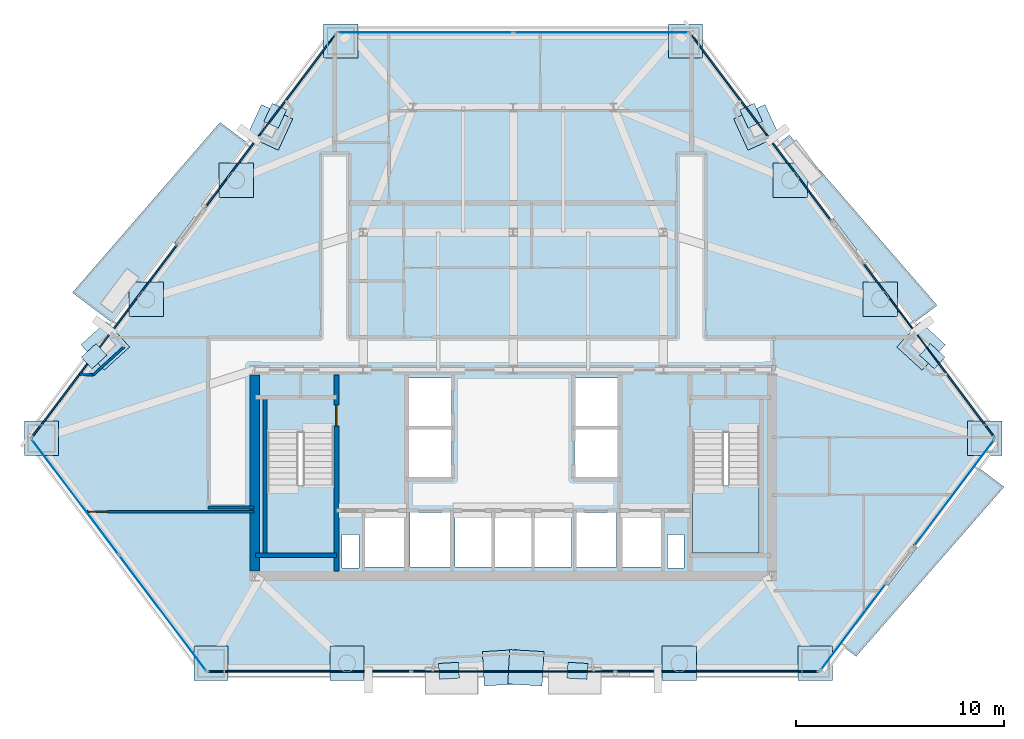
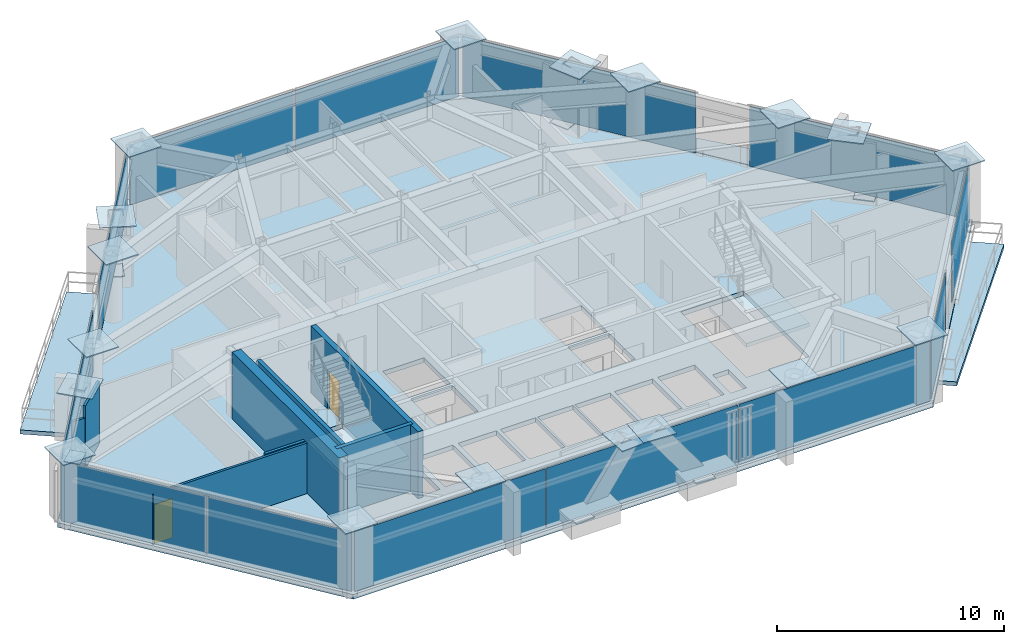
# One storey, part 5 of 11: 37 plates, 8 walls, 6 slabs, 2 doors, 2 openings, 11 elements without a shape of their own.
"""IFC4 building model written with IfcOpenShell, lengths in metres."""

from ifc_helpers import new_model, si_unit, direction, frame, frame_2d, origin, origin_2d, place, context, subcontext, project, spatial, polyline, rectangle, outline, extrude, source, transform, mapped, material, layer, layer_set, type_object, type_shapes, element, fill, aggregate, save


model = new_model("IFC4")

# Units and contexts
model_context = context("Model", 3, precision=1e-05, world=origin(), true_north=direction((0.0, 1.0)))
body_context = subcontext(model_context, "Body", "Model", "MODEL_VIEW")
ifc_project = project(units=[si_unit("LENGTHUNIT", "METRE"), si_unit("AREAUNIT", "SQUARE_METRE"), si_unit("VOLUMEUNIT", "CUBIC_METRE"), si_unit("PLANEANGLEUNIT", "RADIAN"), si_unit("MASSUNIT", "GRAM", prefix="KILO")], contexts=[model_context])

# Site, building, storey
site_placement = place(None, origin())
site = spatial("IfcSite", under=ifc_project, at=site_placement, CompositionType="ELEMENT")
building_placement = place(site_placement, origin())
building = spatial("IfcBuilding", under=site, at=building_placement, Name="Talgorran Terracotta Tower", CompositionType="ELEMENT")
storey_placement = place(building_placement, frame((0.0, 0.0, 35.10009765625)))
storey = spatial("IfcBuildingStorey", under=building, at=storey_placement, Name="L08", CompositionType="ELEMENT", Elevation=35.10009765625)

# Plates
ifc_material_1 = material(Name="Steel Grade 350 (350L0)", Category="steel")
ifc_layer_1 = layer(ifc_material_1, 0.0400390625, Name="PL_CAP_MN05")
ifc_layer_set_1 = layer_set([ifc_layer_1], Name="Steel Grade 350 (350L0)")
plate_type_1 = type_object("IfcPlateType", Name="PL_CAP_MN05", PredefinedType="USERDEFINED", material=ifc_layer_set_1)
for number, where, z_axis, x_axis, name in (
    (1, (-3.081787109375, -18.639892578125, -0.010009765625), (0.0, 0.0, 1.0), (0.998301386055, 0.058260986945, 0.0), "L08 Diagonal Frame End Cap SWF Bot"),
    (2, (3.081787109375, -18.639892578125, -0.010009765625), (0.0, 0.0, 1.0), (-0.998301386055, 0.058260986945, 0.0), "L08 Diagonal Frame End Cap SEF Bot"),
    (3, (20.1064453125, -3.548095703125, -0.010009765625), (0.0, 0.0, 1.0), (-0.738573017346, 0.674173492543, 0.0), "L08 Diagonal Frame End Cap NEL Bot"),
    (4, (11.413330078125, 7.988037109375, -0.010009765625), (0.0, 0.0, 1.0), (0.41754991917, -0.9086539853, 0.0), "L08 Diagonal Frame End Cap NEU Bot"),
    (5, (-11.413330078125, 7.988037109375, -0.010009765625), (0.0, 0.0, 1.0), (-0.41754991917, -0.9086539853, 0.0), "L08 Diagonal Frame End Cap NWU Bot"),
    (6, (-20.1064453125, -3.548095703125, -0.010009765625), (0.0, 0.0, 1.0), (0.738573017346, 0.674173492543, 0.0), "L08 Diagonal Frame End Cap NWL Bot"),
):
    element("IfcPlate", number, at=place(storey_placement, frame(where, z_axis=z_axis, x_axis=x_axis)), inside=storey, type_object=plate_type_1, Name=name, ObjectType="CAP PLATE", PredefinedType="USERDEFINED", context=body_context, shape_type="SweptSolid", body=[
        extrude(rectangle(XDim=0.9599609375, YDim=0.760009765625, at=origin_2d()), origin(), (0.0, 0.0, 1.0), 0.0400390625),
    ])
ifc_layer_2 = layer(ifc_material_1, 0.06005859375, Name="PL_NODE_MN01")
ifc_layer_set_2 = layer_set([ifc_layer_2], Name="Steel Grade 350 (350L0)")
plate_type_2 = type_object("IfcPlateType", Name="PL_NODE_MN01", PredefinedType="USERDEFINED", material=ifc_layer_set_2)
for number, where, z_axis, x_axis, name in (
    (7, (-22.62646484375, -7.490478515625, 3.5849609375), (0.0, 0.0, 1.0), (1.0, 0.0, 0.0), "L08 Mega-Column Cap Plate MC1"),
    (8, (-14.495849609375, -18.280029296875, 3.5849609375), (0.0, 0.0, 1.0), (1.0, 0.0, 0.0), "L08 Mega-Column Cap Plate MC2"),
    (9, (14.495849609375, -18.280029296875, 3.5849609375), (0.0, 0.0, 1.0), (1.0, 0.0, 0.0), "L08 Mega-Column Cap Plate MC3"),
    (10, (22.62646484375, -7.490478515625, 3.5849609375), (0.0, 0.0, 1.0), (1.0, 0.0, 0.0), "L08 Mega-Column Cap Plate MC4"),
    (11, (8.26318359375, 11.5703125, 3.5849609375), (0.0, 0.0, 1.0), (1.0, 0.0, 0.0), "L08 Mega-Column Cap Plate MC5"),
    (12, (-8.26318359375, 11.5703125, 3.5849609375), (0.0, 0.0, 1.0), (1.0, 0.0, 0.0), "L08 Mega-Column Cap Plate MC6"),
    (13, (-7.97265625, -18.280029296875, 3.5849609375), (0.0, 0.0, 1.0), (1.0, 0.0, 0.0), "L08 Facet Column Cap Plate FC1"),
    (14, (7.97265625, -18.280029296875, 3.5849609375), (0.0, 0.0, 1.0), (1.0, 0.0, 0.0), "L08 Facet Column Cap Plate FC2"),
    (15, (17.599365234375, -0.819091796875, 3.5849609375), (0.0, 0.0, 1.0), (1.0, 0.0, 0.0), "L08 Facet Column Cap Plate FC3"),
    (16, (13.290283203125, 4.899169921875, 3.5849609375), (0.0, 0.0, 1.0), (1.0, 0.0, 0.0), "L08 Facet Column Cap Plate FC4"),
    (17, (-13.290283203125, 4.899169921875, 3.5849609375), (0.0, 0.0, 1.0), (1.0, 0.0, 0.0), "L08 Facet Column Cap Plate FC5"),
    (18, (-17.599365234375, -0.819091796875, 3.5849609375), (0.0, 0.0, 1.0), (1.0, 0.0, 0.0), "L08 Facet Column Cap Plate FC6"),
    (19, (-0.60888671875, -18.49560546875, 3.309814453125), (0.0, 0.0, 1.0), (0.998301386055, 0.058260986945, 0.0), "L08 Diagonal Frame End Cap SWF Top"),
    (20, (0.60888671875, -18.49560546875, 3.309814453125), (0.0, 0.0, 1.0), (-0.998301386055, 0.058260986945, 0.0), "L08 Diagonal Frame End Cap SEF Top"),
    (21, (19.56591796875, -3.054443359375, 3.309814453125), (0.0, 0.0, 1.0), (-0.738573017346, 0.674173492543, 0.0), "L08 Diagonal Frame End Cap NEL Top"),
    (22, (11.6708984375, 7.427734375, 3.309814453125), (0.0, 0.0, 1.0), (0.41754991917, -0.9086539853, 0.0), "L08 Diagonal Frame End Cap NEU Top"),
    (23, (-11.6708984375, 7.427734375, 3.309814453125), (0.0, 0.0, 1.0), (-0.41754991917, -0.9086539853, 0.0), "L08 Diagonal Frame End Cap NWU Top"),
    (24, (-19.56591796875, -3.054443359375, 3.309814453125), (0.0, 0.0, 1.0), (0.738573017346, 0.674173492543, 0.0), "L08 Diagonal Frame End Cap NWL Top"),
):
    element("IfcPlate", number, at=place(storey_placement, frame(where, z_axis=z_axis, x_axis=x_axis)), inside=storey, type_object=plate_type_2, Name=name, ObjectType="NODE PLATE", PredefinedType="USERDEFINED", context=body_context, shape_type="SweptSolid", body=[
        extrude(rectangle(XDim=1.64990234375, YDim=1.64990234375, at=origin_2d()), origin(), (0.0, 0.0, 1.0), 0.06005859375),
    ])

# Slabs
ifc_material_2 = material(Name="Concrete C40/50", Category="concrete")
ifc_layer_3 = layer(ifc_material_2, 0.219970703125, Name="SL_BALCONY_220")
ifc_layer_set_3 = layer_set([ifc_layer_3], Name="Concrete C40/50")
slab_type_1 = type_object("IfcSlabType", Name="SL_BALCONY_220", PredefinedType="FLOOR", material=ifc_layer_set_3)
slab_1_placement = place(storey_placement, frame((0.0, 0.0, -0.22021484375)))
element("IfcSlab", 25, at=slab_1_placement, inside=storey, type_object=slab_type_1, Name="L08 Outdoor Wave Balcony BAL-NE", PredefinedType="FLOOR", context=body_context, shape_type="SweptSolid", body=[
    extrude(outline(polyline([(12.665771484375, 6.61669921875), (19.158203125, -1.998779296875), (20.335693359375, -1.111572265625), (13.251708984375, 7.058349609375), (12.665771484375, 6.61669921875)])), origin(), (0.0, 0.0, 1.0), 0.22021484375),
])
slab_2_placement = place(storey_placement, frame((0.0, 0.0, -0.22021484375)))
element("IfcSlab", 26, at=slab_2_placement, inside=storey, type_object=slab_type_1, Name="L08 Outdoor Wave Balcony BAL-NW", PredefinedType="FLOOR", context=body_context, shape_type="SweptSolid", body=[
    extrude(outline(polyline([(-19.158203125, -1.998779296875), (-12.665771484375, 6.61669921875), (-14.06005859375, 7.66748046875), (-21.143798828125, -0.50244140625), (-19.158203125, -1.998779296875)])), origin(), (0.0, 0.0, 1.0), 0.22021484375),
])
slab_3_placement = place(storey_placement, frame((0.0, 0.0, -0.22021484375)))
element("IfcSlab", 27, at=slab_3_placement, inside=storey, type_object=slab_type_1, Name="L08 Outdoor Wave Balcony BAL-SE", PredefinedType="FLOOR", context=body_context, shape_type="SweptSolid", body=[
    extrude(outline(polyline([(22.266845703125, -8.856689453125), (15.789794921875, -17.451904296875), (16.449462890625, -17.948974609375), (23.54296875, -9.818115234375), (22.266845703125, -8.856689453125)])), origin(), (0.0, 0.0, 1.0), 0.22021484375),
])

# Stair, slab
stair_type = type_object("IfcStairType", Name="ST_FIRE_SCISSOR", PredefinedType="HALF_TURN_STAIR", material=ifc_material_2)
stair_1_placement = place(storey_placement, origin())
stair_1 = element("IfcStair", 28, at=stair_1_placement, inside=storey, type_object=stair_type, Name="L08 West Protected Fire Stair ST-01", PredefinedType="HALF_TURN_STAIR")
ifc_layer_4 = layer(ifc_material_2, 0.199951171875, Name="SL_LANDING_200")
ifc_layer_set_4 = layer_set([ifc_layer_4], Name="Concrete C40/50")
slab_type_2 = type_object("IfcSlabType", Name="SL_LANDING_200", PredefinedType="LANDING", material=ifc_layer_set_4)
slab_4_placement = place(storey_placement, frame((0.0, 0.0, 1.599853515625)))
slab_4 = element("IfcSlab", 29, at=slab_4_placement, type_object=slab_type_2, Name="ST-01 landing 1", PredefinedType="LANDING", context=body_context, shape_type="SweptSolid", body=[
    extrude(outline(polyline([(-11.800048828125, -9.719970703125), (-11.800048828125, -13.0), (-8.60009765625, -13.0), (-8.60009765625, -9.719970703125), (-11.800048828125, -9.719970703125)])), origin(), (0.0, 0.0, 1.0), 0.199951171875),
])
aggregate(stair_1, [slab_4])

stair_2_placement = place(storey_placement, origin())
stair_2 = element("IfcStair", 30, at=stair_2_placement, inside=storey, type_object=stair_type, Name="L08 East Protected Fire Stair ST-02", PredefinedType="HALF_TURN_STAIR")
slab_5_placement = place(storey_placement, frame((0.0, 0.0, 1.599853515625)))
slab_5 = element("IfcSlab", 31, at=slab_5_placement, type_object=slab_type_2, Name="ST-02 landing 1", PredefinedType="LANDING", context=body_context, shape_type="SweptSolid", body=[
    extrude(outline(polyline([(8.60009765625, -9.719970703125), (8.60009765625, -13.0), (11.800048828125, -13.0), (11.800048828125, -9.719970703125), (8.60009765625, -9.719970703125)])), origin(), (0.0, 0.0, 1.0), 0.199951171875),
])
aggregate(stair_2, [slab_5])

# Slab
ifc_layer_5 = layer(ifc_material_2, 0.264892578125, Name="SL_TOWER_265")
ifc_layer_set_5 = layer_set([ifc_layer_5], Name="Concrete C40/50")
slab_type_3 = type_object("IfcSlabType", Name="SL_TOWER_265", PredefinedType="FLOOR", material=ifc_layer_set_5)
slab_6_placement = place(storey_placement, frame((0.0, 0.0, -0.25)))
element("IfcSlab", 32, at=slab_6_placement, inside=storey, type_object=slab_type_3, Name="Storey L08 Structural Floor Slab", PredefinedType="FLOOR", context=body_context, shape_type="SweptSolid", body=[
    extrude(outline(polyline([(-23.277587890625, -7.490478515625), (-14.755126953125, -18.800048828125), (14.755126953125, -18.800048828125), (23.277587890625, -7.490478515625), (8.5224609375, 12.09033203125), (-8.5224609375, 12.09033203125), (-23.277587890625, -7.490478515625)]), holes=[polyline([(-11.800048828125, -7.199951171875), (-11.800048828125, -13.0), (-8.60009765625, -13.0), (-8.60009765625, -7.199951171875), (-11.800048828125, -7.199951171875)]), polyline([(8.60009765625, -7.199951171875), (8.60009765625, -13.0), (11.800048828125, -13.0), (11.800048828125, -7.199951171875), (8.60009765625, -7.199951171875)]), polyline([(-7.10009765625, -13.64990234375), (-5.199951171875, -13.64990234375), (-5.199951171875, -11.050048828125), (-7.10009765625, -11.050048828125), (-7.10009765625, -13.64990234375)]), polyline([(5.199951171875, -13.64990234375), (7.10009765625, -13.64990234375), (7.10009765625, -11.050048828125), (5.199951171875, -11.050048828125), (5.199951171875, -13.64990234375)]), polyline([(3.0, -13.64990234375), (4.949951171875, -13.64990234375), (4.949951171875, -11.050048828125), (3.0, -11.050048828125), (3.0, -13.64990234375)]), polyline([(-4.949951171875, -13.64990234375), (-3.0, -13.64990234375), (-3.0, -11.050048828125), (-4.949951171875, -11.050048828125), (-4.949951171875, -13.64990234375)]), polyline([(-5.050048828125, -9.35009765625), (-2.949951171875, -9.35009765625), (-2.949951171875, -7.050048828125), (-5.050048828125, -7.050048828125), (-5.050048828125, -9.35009765625)]), polyline([(-5.050048828125, -6.89990234375), (-2.949951171875, -6.89990234375), (-2.949951171875, -4.60009765625), (-5.050048828125, -4.60009765625), (-5.050048828125, -6.89990234375)]), polyline([(2.949951171875, -9.35009765625), (5.050048828125, -9.35009765625), (5.050048828125, -7.050048828125), (2.949951171875, -7.050048828125), (2.949951171875, -9.35009765625)]), polyline([(2.949951171875, -6.89990234375), (5.050048828125, -6.89990234375), (5.050048828125, -4.60009765625), (2.949951171875, -4.60009765625), (2.949951171875, -6.89990234375)]), polyline([(-2.800048828125, -13.64990234375), (-1.0, -13.64990234375), (-1.0, -11.050048828125), (-2.800048828125, -11.050048828125), (-2.800048828125, -13.64990234375)]), polyline([(-0.89990234375, -13.64990234375), (0.89990234375, -13.64990234375), (0.89990234375, -11.050048828125), (-0.89990234375, -11.050048828125), (-0.89990234375, -13.64990234375)]), polyline([(1.0, -13.64990234375), (2.800048828125, -13.64990234375), (2.800048828125, -11.050048828125), (1.0, -11.050048828125), (1.0, -13.64990234375)]), polyline([(-8.199951171875, -13.699951171875), (-7.39990234375, -13.699951171875), (-7.39990234375, -12.10009765625), (-8.199951171875, -12.10009765625), (-8.199951171875, -13.699951171875)]), polyline([(7.39990234375, -13.699951171875), (8.199951171875, -13.699951171875), (8.199951171875, -12.10009765625), (7.39990234375, -12.10009765625), (7.39990234375, -13.699951171875)])]), origin(), (0.0, 0.0, 1.0), 0.25),
])

# Curtain wall, plates
ifc_material_3 = material(Name="Unitised Low-E Double Glazing", Category="glass")
ifc_layer_6 = layer(ifc_material_3, 0.199951171875, Name="CW_SYS2_RES_LOW")
ifc_layer_set_6 = layer_set([ifc_layer_6], Name="Unitised Low-E Double Glazing")
curtain_wall_type = type_object("IfcCurtainWallType", Name="CW_SYS2_RES_LOW", PredefinedType="NOTDEFINED", material=ifc_layer_set_6)
curtain_wall_1_placement = place(storey_placement, origin())
curtain_wall_1 = element("IfcCurtainWall", 33, at=curtain_wall_1_placement, inside=storey, type_object=curtain_wall_type, Name="CW-L08-F0", PredefinedType="NOTDEFINED")
ifc_material_4 = material(Name="Low-E Laminated Vision Glass", Category="glass")
ifc_layer_7 = layer(ifc_material_4, 0.028076171875, Name="PLT_VISION_28")
ifc_layer_set_7 = layer_set([ifc_layer_7], Name="Low-E Laminated Vision Glass")
plate_type_3 = type_object("IfcPlateType", Name="PLT_VISION_28", PredefinedType="CURTAIN_PANEL", material=ifc_layer_set_7)
shared_shape_1 = source(origin(), body_context, "Body", "SweptSolid", [
    extrude(rectangle(XDim=6.907958984375, YDim=0.028076171875, at=origin_2d()), origin(), (0.0, 0.0, 1.0), 3.219970703125),
])
plate_1_placement = place(storey_placement, frame((-21.009521484375, -10.30078125, 0.06494140625), z_axis=(0.0, 0.0, 1.0), x_axis=(0.60181190941, -0.79863785641, 0.0)))
plate_1 = element("IfcPlate", 34, at=plate_1_placement, type_object=plate_type_3, Name="CW-L08-0 panel 1.1", PredefinedType="CURTAIN_PANEL", context=body_context, shape_type="MappedRepresentation", body=[
    mapped(shared_shape_1, transform((0.0, 0.0, 0.0), scale=1.0)),
])
plate_2_placement = place(storey_placement, frame((-16.813232421875, -15.86962890625, 0.06494140625), z_axis=(0.0, 0.0, 1.0), x_axis=(0.60181190941, -0.79863785641, 0.0)))
plate_2 = element("IfcPlate", 35, at=plate_2_placement, type_object=plate_type_3, Name="CW-L08-0 panel 2.1", PredefinedType="CURTAIN_PANEL", context=body_context, shape_type="MappedRepresentation", body=[
    mapped(shared_shape_1, transform((0.0, 0.0, 0.0), scale=1.0)),
])
aggregate(curtain_wall_1, [plate_1, plate_2])

curtain_wall_2_placement = place(storey_placement, origin())
curtain_wall_2 = element("IfcCurtainWall", 36, at=curtain_wall_2_placement, inside=storey, type_object=curtain_wall_type, Name="CW-L08-F4", PredefinedType="NOTDEFINED")
shared_shape_2 = source(origin(), body_context, "Body", "SweptSolid", [
    extrude(rectangle(XDim=8.364990234375, YDim=0.028076171875, at=origin_2d()), origin(), (0.0, 0.0, 1.0), 3.219970703125),
])
plate_3_placement = place(storey_placement, frame((4.215087890625, 11.970458984375, 0.06494140625), z_axis=(0.0, 0.0, 1.0), x_axis=(-1.0, 0.0, 0.0)))
plate_3 = element("IfcPlate", 37, at=plate_3_placement, type_object=plate_type_3, Name="CW-L08-4 panel 1.1", PredefinedType="CURTAIN_PANEL", context=body_context, shape_type="MappedRepresentation", body=[
    mapped(shared_shape_2, transform((0.0, 0.0, 0.0), scale=1.0)),
])
plate_4_placement = place(storey_placement, frame((-4.215087890625, 11.970458984375, 0.06494140625), z_axis=(0.0, 0.0, 1.0), x_axis=(-1.0, 0.0, 0.0)))
plate_4 = element("IfcPlate", 38, at=plate_4_placement, type_object=plate_type_3, Name="CW-L08-4 panel 2.1", PredefinedType="CURTAIN_PANEL", context=body_context, shape_type="MappedRepresentation", body=[
    mapped(shared_shape_2, transform((0.0, 0.0, 0.0), scale=1.0)),
])
aggregate(curtain_wall_2, [plate_3, plate_4])

# Curtain wall, plate
curtain_wall_3_placement = place(storey_placement, origin())
curtain_wall_3 = element("IfcCurtainWall", 39, at=curtain_wall_3_placement, inside=storey, type_object=curtain_wall_type, Name="CW-L08-F30", PredefinedType="NOTDEFINED")
shared_shape_3 = source(origin(), body_context, "Body", "SweptSolid", [
    extrude(rectangle(XDim=5.17333984375, YDim=0.028076171875, at=origin_2d()), origin(), (0.0, 0.0, 1.0), 3.219970703125),
])
plate_5_placement = place(storey_placement, frame((16.315185546875, -16.5302734375, 0.06494140625), z_axis=(0.0, 0.0, 1.0), x_axis=(0.601805620764, 0.798642595168, 0.0)))
plate_5 = element("IfcPlate", 40, at=plate_5_placement, type_object=plate_type_3, Name="CW-L08-30 panel 1.1", PredefinedType="CURTAIN_PANEL", context=body_context, shape_type="MappedRepresentation", body=[
    mapped(shared_shape_3, transform((0.0, 0.0, 0.0), scale=1.0)),
])
aggregate(curtain_wall_3, [plate_5])

curtain_wall_4_placement = place(storey_placement, origin())
curtain_wall_4 = element("IfcCurtainWall", 41, at=curtain_wall_4_placement, inside=storey, type_object=curtain_wall_type, Name="CW-L08-F31", PredefinedType="NOTDEFINED")
shared_shape_4 = source(origin(), body_context, "Body", "SweptSolid", [
    extrude(rectangle(XDim=6.33740234375, YDim=0.028076171875, at=origin_2d()), origin(), (0.0, 0.0, 1.0), 3.219970703125),
])
type_shapes(plate_type_3, [shared_shape_1, shared_shape_2, shared_shape_3, shared_shape_4])
plate_6_placement = place(storey_placement, frame((21.156982421875, -10.10498046875, 0.06494140625), z_axis=(0.0, 0.0, 1.0), x_axis=(0.601809364408, 0.798639774185, 0.0)))
plate_6 = element("IfcPlate", 42, at=plate_6_placement, type_object=plate_type_3, Name="CW-L08-31 panel 1.1", PredefinedType="CURTAIN_PANEL", context=body_context, shape_type="MappedRepresentation", body=[
    mapped(shared_shape_4, transform((0.0, 0.0, 0.0), scale=1.0)),
])
aggregate(curtain_wall_4, [plate_6])

# Curtain wall, plates
curtain_wall_5_placement = place(storey_placement, origin())
curtain_wall_5 = element("IfcCurtainWall", 43, at=curtain_wall_5_placement, inside=storey, type_object=curtain_wall_type, Name="CW-L08-F1", PredefinedType="NOTDEFINED")
ifc_material_5 = material(Name="Terracotta Insulated Spandrel", Category="masonry")
ifc_layer_8 = layer(ifc_material_5, 0.06494140625, Name="PLT_SPANDREL_TERRA")
ifc_layer_set_8 = layer_set([ifc_layer_8], Name="Terracotta Insulated Spandrel")
plate_type_4 = type_object("IfcPlateType", Name="PLT_SPANDREL_TERRA", PredefinedType="SHEET", material=ifc_layer_set_8)
shared_shape_5 = source(origin(), body_context, "Body", "SweptSolid", [
    extrude(rectangle(XDim=9.699462890625, YDim=0.06494140625, at=origin_2d()), origin(), (0.0, 0.0, 1.0), 3.219970703125),
])
plate_7_placement = place(storey_placement, frame((-9.78076171875, -18.679931640625, 0.06494140625), z_axis=(0.0, 0.0, 1.0), x_axis=(1.0, 0.0, 0.0)))
plate_7 = element("IfcPlate", 44, at=plate_7_placement, type_object=plate_type_4, Name="CW-L08-1 panel 1.1", PredefinedType="CURTAIN_PANEL", context=body_context, shape_type="MappedRepresentation", body=[
    mapped(shared_shape_5, transform((0.0, 0.0, 0.0), scale=1.0)),
])
plate_8_placement = place(storey_placement, frame((9.78076171875, -18.679931640625, 0.06494140625), z_axis=(0.0, 0.0, 1.0), x_axis=(1.0, 0.0, 0.0)))
plate_8 = element("IfcPlate", 45, at=plate_8_placement, type_object=plate_type_4, Name="CW-L08-1 panel 3.1", PredefinedType="CURTAIN_PANEL", context=body_context, shape_type="MappedRepresentation", body=[
    mapped(shared_shape_5, transform((0.0, 0.0, 0.0), scale=1.0)),
])
shared_shape_6 = source(origin(), body_context, "Body", "SweptSolid", [
    extrude(rectangle(XDim=9.73193359375, YDim=0.06494140625, at=origin_2d()), origin(), (0.0, 0.0, 1.0), 3.219970703125),
])
plate_9_placement = place(storey_placement, frame((0.0, -18.679931640625, 0.06494140625), z_axis=(0.0, 0.0, 1.0), x_axis=(1.0, 0.0, 0.0)))
plate_9 = element("IfcPlate", 46, at=plate_9_placement, type_object=plate_type_4, Name="CW-L08-1 panel 2.1", PredefinedType="CURTAIN_PANEL", context=body_context, shape_type="MappedRepresentation", body=[
    mapped(shared_shape_6, transform((0.0, 0.0, 0.0), scale=1.0)),
])
aggregate(curtain_wall_5, [plate_7, plate_9, plate_8])

# Curtain wall, plate
curtain_wall_6_placement = place(storey_placement, origin())
curtain_wall_6 = element("IfcCurtainWall", 47, at=curtain_wall_6_placement, inside=storey, type_object=curtain_wall_type, Name="CW-L08-F40", PredefinedType="NOTDEFINED")
shared_shape_7 = source(origin(), body_context, "Body", "SweptSolid", [
    extrude(rectangle(XDim=10.41162109375, YDim=0.06494140625, at=origin_2d()), origin(), (0.0, 0.0, 1.0), 3.219970703125),
])
plate_10_placement = place(storey_placement, frame((19.93115234375, -3.2490234375, 0.06494140625), z_axis=(0.0, 0.0, 1.0), x_axis=(-0.601804643643, 0.798643331463, 0.0)))
plate_10 = element("IfcPlate", 48, at=plate_10_placement, type_object=plate_type_4, Name="CW-L08-40 panel 1.1", PredefinedType="CURTAIN_PANEL", context=body_context, shape_type="MappedRepresentation", body=[
    mapped(shared_shape_7, transform((0.0, 0.0, 0.0), scale=1.0)),
])
aggregate(curtain_wall_6, [plate_10])

curtain_wall_7_placement = place(storey_placement, origin())
curtain_wall_7 = element("IfcCurtainWall", 49, at=curtain_wall_7_placement, inside=storey, type_object=curtain_wall_type, Name="CW-L08-F41", PredefinedType="NOTDEFINED")
shared_shape_8 = source(origin(), body_context, "Body", "SweptSolid", [
    extrude(rectangle(XDim=11.156005859375, YDim=0.06494140625, at=origin_2d()), origin(), (0.0, 0.0, 1.0), 3.219970703125),
])
plate_11_placement = place(storey_placement, frame((11.8828125, 7.431884765625, 0.06494140625), z_axis=(0.0, 0.0, 1.0), x_axis=(-0.601810271677, 0.798639090519, 0.0)))
plate_11 = element("IfcPlate", 50, at=plate_11_placement, type_object=plate_type_4, Name="CW-L08-41 panel 1.1", PredefinedType="CURTAIN_PANEL", context=body_context, shape_type="MappedRepresentation", body=[
    mapped(shared_shape_8, transform((0.0, 0.0, 0.0), scale=1.0)),
])
aggregate(curtain_wall_7, [plate_11])

curtain_wall_8_placement = place(storey_placement, origin())
curtain_wall_8 = element("IfcCurtainWall", 51, at=curtain_wall_8_placement, inside=storey, type_object=curtain_wall_type, Name="CW-L08-F60", PredefinedType="NOTDEFINED")
shared_shape_9 = source(origin(), body_context, "Body", "SweptSolid", [
    extrude(rectangle(XDim=10.349853515625, YDim=0.06494140625, at=origin_2d()), origin(), (0.0, 0.0, 1.0), 3.219970703125),
])
plate_12_placement = place(storey_placement, frame((-11.64013671875, 7.753662109375, 0.06494140625), z_axis=(0.0, 0.0, 1.0), x_axis=(-0.601807638674, -0.798641074597, 0.0)))
plate_12 = element("IfcPlate", 52, at=plate_12_placement, type_object=plate_type_4, Name="CW-L08-60 panel 1.1", PredefinedType="CURTAIN_PANEL", context=body_context, shape_type="MappedRepresentation", body=[
    mapped(shared_shape_9, transform((0.0, 0.0, 0.0), scale=1.0)),
])
aggregate(curtain_wall_8, [plate_12])

curtain_wall_9_placement = place(storey_placement, origin())
curtain_wall_9 = element("IfcCurtainWall", 53, at=curtain_wall_9_placement, inside=storey, type_object=curtain_wall_type, Name="CW-L08-F61", PredefinedType="NOTDEFINED")
shared_shape_10 = source(origin(), body_context, "Body", "SweptSolid", [
    extrude(rectangle(XDim=11.517578125, YDim=0.06494140625, at=origin_2d()), origin(), (0.0, 0.0, 1.0), 3.219970703125),
])
type_shapes(plate_type_4, [shared_shape_5, shared_shape_6, shared_shape_7, shared_shape_8, shared_shape_9, shared_shape_10])
plate_13_placement = place(storey_placement, frame((-19.598388671875, -2.807373046875, 0.06494140625), z_axis=(0.0, 0.0, 1.0), x_axis=(-0.601810322595, -0.798639052149, 0.0)))
plate_13 = element("IfcPlate", 54, at=plate_13_placement, type_object=plate_type_4, Name="CW-L08-61 panel 1.1", PredefinedType="CURTAIN_PANEL", context=body_context, shape_type="MappedRepresentation", body=[
    mapped(shared_shape_10, transform((0.0, 0.0, 0.0), scale=1.0)),
])
aggregate(curtain_wall_9, [plate_13])

# Walls
ifc_material_6 = material(Name="Concrete C50/60", Category="concrete")
ifc_layer_9 = layer(ifc_material_6, 0.199951171875, Name="WT_CORE_200")
ifc_layer_set_9 = layer_set([ifc_layer_9], Name="Concrete C50/60")
wall_type_1 = type_object("IfcWallType", Name="WT_CORE_200", PredefinedType="SOLIDWALL", material=ifc_layer_set_9)
wall_1_placement = place(storey_placement, frame((-12.35009765625, -13.10009765625, 0.0), z_axis=(0.0, 0.0, 1.0), x_axis=(1.0, 0.0, 0.0)))
element("IfcWall", 55, at=wall_1_placement, inside=storey, type_object=wall_type_1, Name="WL-L08-CW-ST1-S", PredefinedType="SOLIDWALL", context=body_context, shape_type="SweptSolid", body=[
    extrude(rectangle(XDim=3.8701171875, YDim=0.199951171875, at=frame_2d((1.93505859375, 0.0))), origin(), (0.0, 0.0, 1.0), 3.599853515625),
])
wall_2_placement = place(storey_placement, frame((-11.89990234375, -13.10009765625, 0.0), z_axis=(0.0, 0.0, 1.0), x_axis=(0.0, 1.0, 0.0)))
element("IfcWall", 56, at=wall_2_placement, inside=storey, type_object=wall_type_1, Name="WL-L08-CW-ST1-W", PredefinedType="SOLIDWALL", context=body_context, shape_type="SweptSolid", body=[
    extrude(rectangle(XDim=7.580078125, YDim=0.199951171875, at=frame_2d((3.7900390625, 0.0))), origin(), (0.0, 0.0, 1.0), 3.599853515625),
])

# Wall, opening, door
ifc_layer_10 = layer(ifc_material_6, 0.25, Name="WT_CORE_250")
ifc_layer_set_10 = layer_set([ifc_layer_10], Name="Concrete C50/60")
wall_type_2 = type_object("IfcWallType", Name="WT_CORE_250", PredefinedType="SHEAR", material=ifc_layer_set_10)
wall_3_placement = place(storey_placement, frame((-8.47998046875, -13.85009765625, 0.0), z_axis=(0.0, 0.0, 1.0), x_axis=(0.0, 1.0, 0.0)))
wall_3 = element("IfcWall", 57, at=wall_3_placement, inside=storey, type_object=wall_type_2, Name="WL-L08-CW-V-W1", PredefinedType="SHEAR", context=body_context, shape_type="SweptSolid", body=[
    extrude(rectangle(XDim=9.400146484375, YDim=0.25, at=frame_2d((4.7001953125, 0.0))), origin(), (0.0, 0.0, 1.0), 3.599853515625),
])
opening_1_placement = place(wall_3_placement, frame((6.949951171875, 0.0, 0.0)))
opening_1 = element("IfcOpeningElement", 58, at=opening_1_placement, cuts=wall_3, Name="Opening DR-ST01", PredefinedType="OPENING", context=body_context, shape_type="SweptSolid", body=[
    extrude(rectangle(XDim=1.006, YDim=2.10409765625, at=frame_2d((0.5, 1.052001953125))), frame((0.0, 0.135009765625, 0.0), z_axis=(0.0, -1.0, 0.0), x_axis=(1.0, 0.0, 0.0)), (0.0, 0.0, 1.0), 0.27001953125),
])
ifc_material_7 = material(Name="Fire-Rated Pressed Steel", Category="steel")
door_type_1 = type_object("IfcDoorType", Name="DT_FIRE_1000", OperationType="NOTDEFINED", PredefinedType="DOOR", material=ifc_material_7)
door_1_placement = place(opening_1_placement, origin())
door_1 = element("IfcDoor", 59, at=door_1_placement, inside=storey, type_object=door_type_1, Name="DR-ST01", OperationType="SINGLE_SWING_LEFT", OverallHeight=2.10009765625, OverallWidth=1.0, PredefinedType="DOOR", context=body_context, shape_type="SweptSolid", body=[
    extrude(rectangle(XDim=1.0, YDim=2.10009765625, at=frame_2d((0.5, 1.050048828125))), frame((0.0, 0.02490234375, 0.0), z_axis=(0.0, -1.0, 0.0), x_axis=(1.0, 0.0, 0.0)), (0.0, 0.0, 1.0), 0.050048828125),
])
fill(opening_1, door_1)

# Walls
ifc_material_8 = material(Name="Concrete C65/80", Category="concrete")
ifc_layer_11 = layer(ifc_material_8, 0.449951171875, Name="WT_CORE_EXT")
ifc_layer_set_11 = layer_set([ifc_layer_11], Name="Concrete C65/80")
wall_type_3 = type_object("IfcWallType", Name="WT_CORE_EXT", PredefinedType="SHEAR", material=ifc_layer_set_11)
wall_4_placement = place(storey_placement, frame((-12.39990234375, -13.85009765625, 0.0), z_axis=(0.0, 0.0, 1.0), x_axis=(0.0, 1.0, 0.0)))
element("IfcWall", 60, at=wall_4_placement, inside=storey, type_object=wall_type_3, Name="WL-L08-CW-OUT-W", PredefinedType="SHEAR", context=body_context, shape_type="SweptSolid", body=[
    extrude(rectangle(XDim=9.400146484375, YDim=0.449951171875, at=frame_2d((4.7001953125, 0.0))), origin(), (0.0, 0.0, 1.0), 3.599853515625),
])
ifc_material_9 = material(Name="Fire-Rated Steel Stud Plasterboard", Category="steel")
ifc_layer_12 = layer(ifc_material_9, 0.14990234375, Name="WT_FIRE_150")
ifc_layer_set_12 = layer_set([ifc_layer_12], Name="Fire-Rated Steel Stud Plasterboard")
wall_type_4 = type_object("IfcWallType", Name="WT_FIRE_150", PredefinedType="PARTITIONING", material=ifc_layer_set_12)
wall_5_placement = place(storey_placement, frame((-14.639892578125, -10.800048828125, 0.0), z_axis=(0.0, 0.0, 1.0), x_axis=(1.0, 0.0, 0.0)))
element("IfcWall", 61, at=wall_5_placement, inside=storey, type_object=wall_type_4, Name="WL-L08-W-L08-R02", PredefinedType="PARTITIONING", context=body_context, shape_type="SweptSolid", body=[
    extrude(rectangle(XDim=2.199951171875, YDim=0.14990234375, at=frame_2d((1.10009765625, 0.0))), origin(), (0.0, 0.0, 1.0), 2.71337890625),
])

# Wall, opening, door
ifc_material_10 = material(Name="Insulated Steel Stud Plasterboard", Category="steel")
ifc_layer_13 = layer(ifc_material_10, 0.1201171875, Name="WT_PART_120")
ifc_layer_set_13 = layer_set([ifc_layer_13], Name="Insulated Steel Stud Plasterboard")
wall_type_5 = type_object("IfcWallType", Name="WT_PART_120", PredefinedType="PARTITIONING", material=ifc_layer_set_13)
wall_6_placement = place(storey_placement, frame((-20.482666015625, -11.0, 0.0), z_axis=(0.0, 0.0, 1.0), x_axis=(1.0, 0.0, 0.0)))
wall_6 = element("IfcWall", 62, at=wall_6_placement, inside=storey, type_object=wall_type_5, Name="WL-L08-W-L08-R20", PredefinedType="PARTITIONING", context=body_context, shape_type="SweptSolid", body=[
    extrude(rectangle(XDim=8.042724609375, YDim=0.1201171875, at=frame_2d((4.021484375, 0.0))), origin(), (0.0, 0.0, 1.0), 2.71337890625),
])
opening_2_placement = place(wall_6_placement, frame((0.10009765625, 0.0, 0.0)))
opening_2 = element("IfcOpeningElement", 63, at=opening_2_placement, cuts=wall_6, Name="Opening DR-L08-R02", PredefinedType="OPENING", context=body_context, shape_type="SweptSolid", body=[
    extrude(rectangle(XDim=0.925921875, YDim=2.10409765625, at=frame_2d((0.4599609375, 1.052001953125))), frame((0.0, 0.070068359375, 0.0), z_axis=(0.0, -1.0, 0.0), x_axis=(1.0, 0.0, 0.0)), (0.0, 0.0, 1.0), 0.14013671875),
])
ifc_material_11 = material(Name="Solid-Core Painted Timber", Category="wood")
door_type_2 = type_object("IfcDoorType", Name="DT_INT_920", OperationType="NOTDEFINED", PredefinedType="DOOR", material=ifc_material_11)
door_2_placement = place(opening_2_placement, origin())
door_2 = element("IfcDoor", 64, at=door_2_placement, inside=storey, type_object=door_type_2, Name="DR-L08-R02", OperationType="SINGLE_SWING_RIGHT", OverallHeight=2.10009765625, OverallWidth=0.919921875, PredefinedType="DOOR", context=body_context, shape_type="SweptSolid", body=[
    extrude(rectangle(XDim=0.919921875, YDim=2.10009765625, at=frame_2d((0.4599609375, 1.050048828125))), frame((0.0, 0.02490234375, 0.0), z_axis=(0.0, -1.0, 0.0), x_axis=(1.0, 0.0, 0.0)), (0.0, 0.0, 1.0), 0.050048828125),
])
fill(opening_2, door_2)

# Walls
wall_7_placement = place(storey_placement, frame((-18.66162109375, -3.095703125, 0.0), z_axis=(0.0, 0.0, 1.0), x_axis=(-0.738587935194, -0.674157149325, 0.0)))
element("IfcWall", 65, at=wall_7_placement, inside=storey, type_object=wall_type_5, Name="WL-L08-BW-L08-06", PredefinedType="PARTITIONING", context=body_context, shape_type="SweptSolid", body=[
    extrude(rectangle(XDim=2.011962890625, YDim=0.1201171875, at=frame_2d((1.005859375, 0.0))), origin(), (0.0, 0.0, 1.0), 3.349853515625),
])
wall_8_placement = place(storey_placement, frame((-20.147705078125, -4.4521484375, 0.0), z_axis=(0.0, 0.0, 1.0), x_axis=(-0.998648640801, 0.051970108975, 0.0)))
element("IfcWall", 66, at=wall_8_placement, inside=storey, type_object=wall_type_5, Name="WL-L08-BW-L08-07", PredefinedType="PARTITIONING", context=body_context, shape_type="SweptSolid", body=[
    extrude(rectangle(XDim=0.653076171875, YDim=0.1201171875, at=frame_2d((0.32666015625, 0.0))), origin(), (0.0, 0.0, 1.0), 2.71337890625),
])

save(model, "model.ifc")
